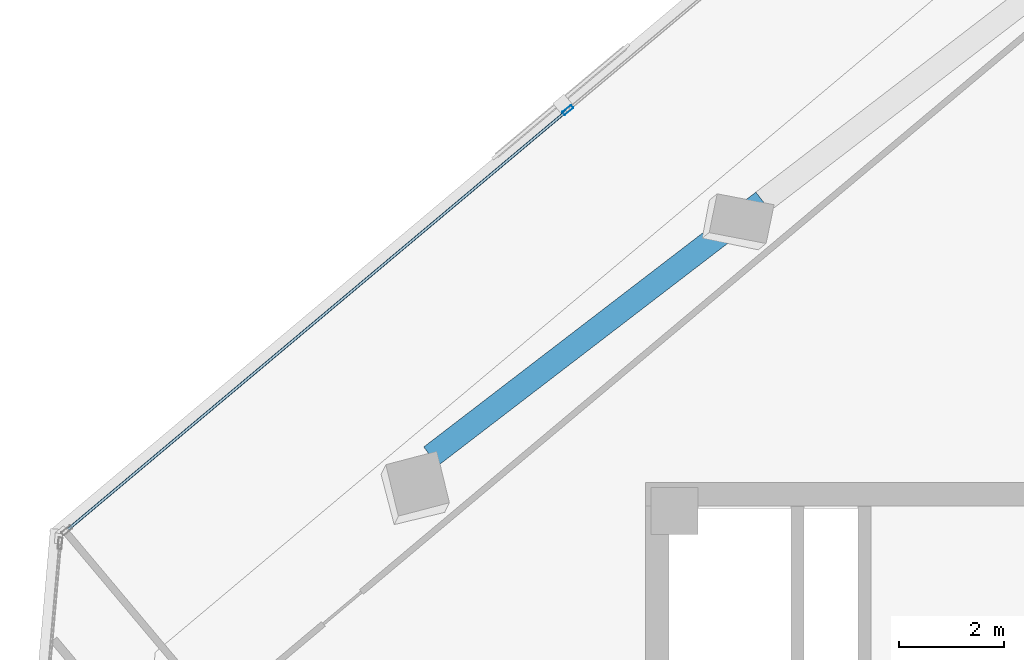
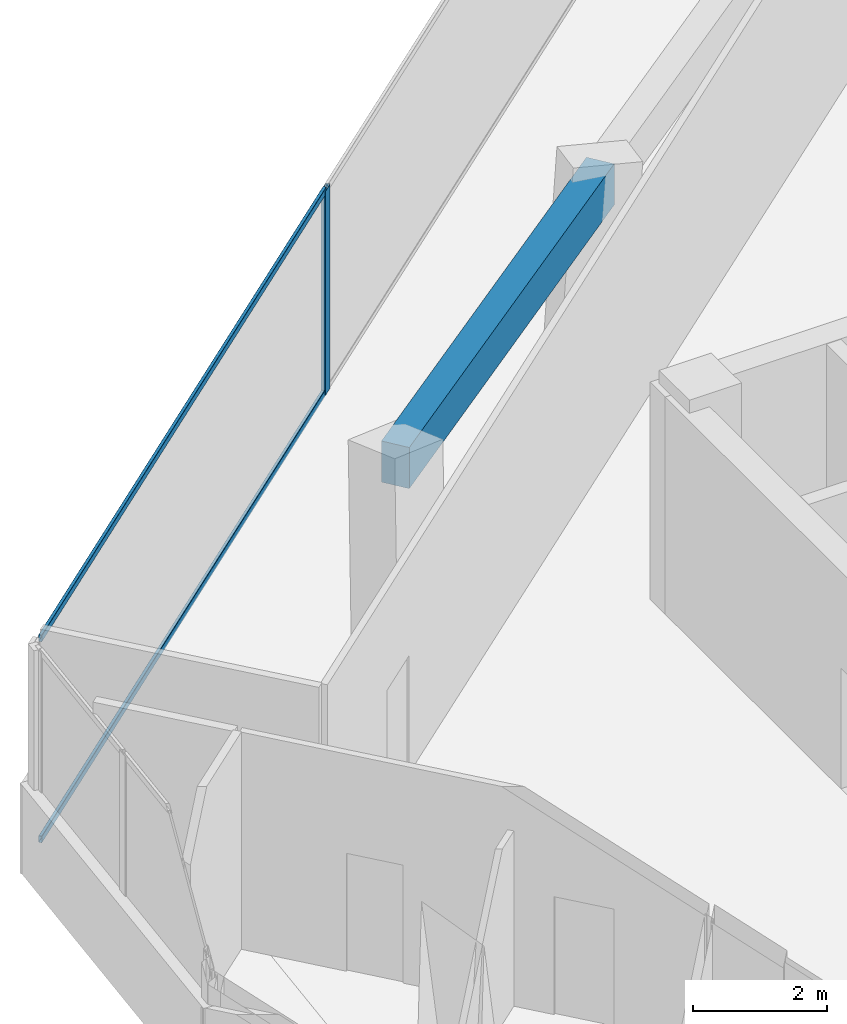
# One storey, part 8 of 17: 3 members, 1 beam, 1 element without a shape of its own.
"""IFC4 building model written with IfcOpenShell, lengths in metres."""

from ifc_helpers import new_model, si_unit, direction, frame, origin, origin_2d, place, context, subcontext, project, spatial, rectangle, hollow_rectangle, extrude, source, transform, mapped, material, material_profile, profile_set, type_object, element, aggregate, save


model = new_model("IFC4")

# Units and contexts
model_context = context("Model", 3, precision=1e-05, world=origin(), true_north=direction((0.0, 1.0)))
body_context = subcontext(model_context, "Body", "Model", "MODEL_VIEW")
ifc_project = project(units=[si_unit("LENGTHUNIT", "METRE"), si_unit("AREAUNIT", "SQUARE_METRE"), si_unit("VOLUMEUNIT", "CUBIC_METRE"), si_unit("PLANEANGLEUNIT", "RADIAN"), si_unit("MASSUNIT", "GRAM", prefix="KILO")], contexts=[model_context])

# Site, building, storey
site_placement = place(None, origin())
site = spatial("IfcSite", under=ifc_project, at=site_placement, CompositionType="ELEMENT")
building_placement = place(site_placement, origin())
building = spatial("IfcBuilding", under=site, at=building_placement, Name="Torre Montelarca", CompositionType="ELEMENT")
storey_placement = place(building_placement, frame((0.0, 0.0, 275.199951171875)))
storey = spatial("IfcBuildingStorey", under=building, at=storey_placement, Name="L62", CompositionType="ELEMENT", Elevation=275.199951171875)

# Beam
ifc_material_1 = material(Name="Concrete C55/67", Category="concrete")
ifc_material_profile_1 = material_profile(ifc_material_1, rectangle(XDim=0.449951171875, YDim=0.75, at=origin_2d()), Name="RCB450X750", Category="concrete")
ifc_profile_set_1 = profile_set([ifc_material_profile_1], Name="Concrete C55/67")
beam_type = type_object("IfcBeamType", Name="BM-SP-RC750-EXT", PredefinedType="SPANDREL", material=ifc_profile_set_1)
shared_shape_1 = source(origin(), body_context, "Body", "SweptSolid", [
    extrude(rectangle(XDim=0.449951171875, YDim=0.75, at=origin_2d()), origin(), (0.0, 0.0, 1.0), 8.0),
])
beam_placement = place(storey_placement, frame((4.8955078125, 40.497802734375, 3.5849609375), z_axis=(0.793356283694, 0.608757593073, 0.0), x_axis=(-0.608757593073, 0.793356283694, 0.0)))
element("IfcBeam", 1, at=beam_placement, inside=storey, type_object=beam_type, Name="L62 Grid Girder Y 24.0-32.0 at X=4.7", PredefinedType="SPANDREL", context=body_context, shape_type="MappedRepresentation", body=[
    mapped(shared_shape_1, transform((0.0, 0.0, 0.0), scale=1.0)),
])

# Curtain wall, members
ifc_material_2 = material(Name="Insulated low-E laminated glass", Category="glass")
curtain_wall_type = type_object("IfcCurtainWallType", Name="CW-SYS-Z3", PredefinedType="USERDEFINED", material=ifc_material_2)
curtain_wall_placement = place(storey_placement, origin())
curtain_wall = element("IfcCurtainWall", 2, at=curtain_wall_placement, inside=storey, type_object=curtain_wall_type, Name="L62 Curtain Wall Run CW-T3-L62-E10-B1", ObjectType="UNITISED GLAZING", PredefinedType="USERDEFINED")
ifc_material_3 = material(Name="Anodised aluminium AA 6063-T6", Category="aluminium")
ifc_material_profile_2 = material_profile(ifc_material_3, hollow_rectangle(XDim=0.054931640625, YDim=0.1201171875, WallThickness=0.00341796875, InnerFilletRadius=0.00341796875, OuterFilletRadius=0.007080078125, at=origin_2d()), Name="ALU55X120X3.5", Category="aluminium")
ifc_profile_set_2 = profile_set([ifc_material_profile_2], Name="Anodised aluminium AA 6063-T6")
member_type_1 = type_object("IfcMemberType", Name="CWT-ALU120", PredefinedType="USERDEFINED", material=ifc_profile_set_2)
shared_shape_2 = source(origin(), body_context, "Body", "SweptSolid", [
    extrude(hollow_rectangle(XDim=0.054931640625, YDim=0.1201171875, WallThickness=0.00341796875, InnerFilletRadius=0.00341796875, OuterFilletRadius=0.007080078125, at=origin_2d()), origin(), (0.0, 0.0, 1.0), 12.421630859375),
])
member_1_placement = place(storey_placement, frame((7.483154296875, 47.090576171875, 0.027587890625), z_axis=(-0.766051674656, -0.642778991378, 0.0), x_axis=(0.642778991378, -0.766051674656, 0.0)))
member_1 = element("IfcMember", 3, at=member_1_placement, type_object=member_type_1, Name="CW transom 2.1", ObjectType="TRANSOM", PredefinedType="USERDEFINED", context=body_context, shape_type="MappedRepresentation", body=[
    mapped(shared_shape_2, transform((0.0, 0.0, 0.0), scale=1.0)),
])
member_2_placement = place(storey_placement, frame((7.483154296875, 47.090576171875, 3.692626953125), z_axis=(-0.766051674656, -0.642778991378, 0.0), x_axis=(0.642778991378, -0.766051674656, 0.0)))
member_2 = element("IfcMember", 4, at=member_2_placement, type_object=member_type_1, Name="CW transom 2.2", ObjectType="TRANSOM", PredefinedType="USERDEFINED", context=body_context, shape_type="MappedRepresentation", body=[
    mapped(shared_shape_2, transform((0.0, 0.0, 0.0), scale=1.0)),
])
ifc_material_profile_3 = material_profile(ifc_material_3, hollow_rectangle(XDim=0.074951171875, YDim=0.219970703125, WallThickness=0.0048828125, InnerFilletRadius=0.0048828125, OuterFilletRadius=0.010009765625, at=origin_2d()), Name="ALU75X220X5", Category="aluminium")
ifc_profile_set_3 = profile_set([ifc_material_profile_3], Name="Anodised aluminium AA 6063-T6")
member_type_2 = type_object("IfcMemberType", Name="CWM-ALU220", PredefinedType="MULLION", material=ifc_profile_set_3)
shared_shape_3 = source(origin(), body_context, "Body", "SweptSolid", [
    extrude(hollow_rectangle(XDim=0.074951171875, YDim=0.219970703125, WallThickness=0.0048828125, InnerFilletRadius=0.0048828125, OuterFilletRadius=0.010009765625, at=origin_2d()), origin(), (0.0, 0.0, 1.0), 3.719970703125),
])
member_3_placement = place(storey_placement, frame((7.51171875, 47.11474609375, 0.0), z_axis=(0.0, 0.0, 1.0), x_axis=(0.642788408931, -0.766043772472, 0.0)))
member_3 = element("IfcMember", 5, at=member_3_placement, type_object=member_type_2, Name="CW mullion 2", PredefinedType="MULLION", context=body_context, shape_type="MappedRepresentation", body=[
    mapped(shared_shape_3, transform((0.0, 0.0, 0.0), scale=1.0)),
])
aggregate(curtain_wall, [member_3, member_1, member_2])

save(model, "model.ifc")
